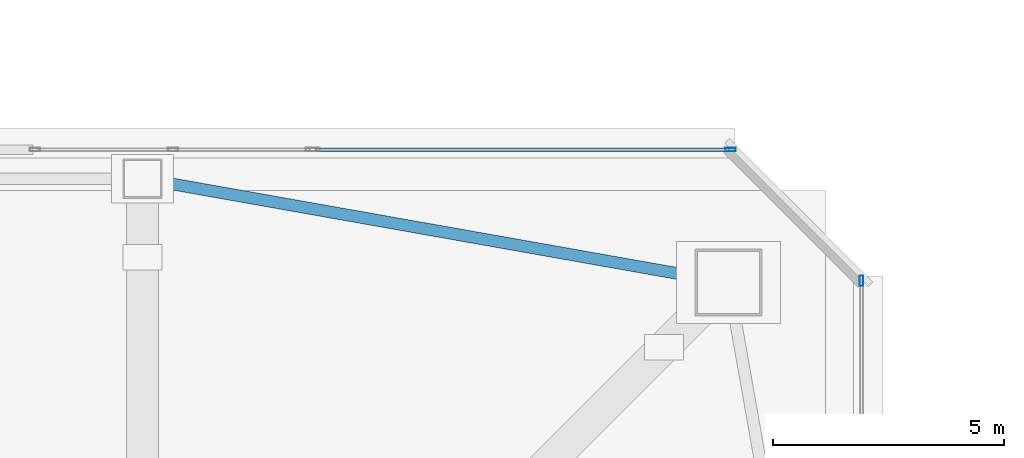
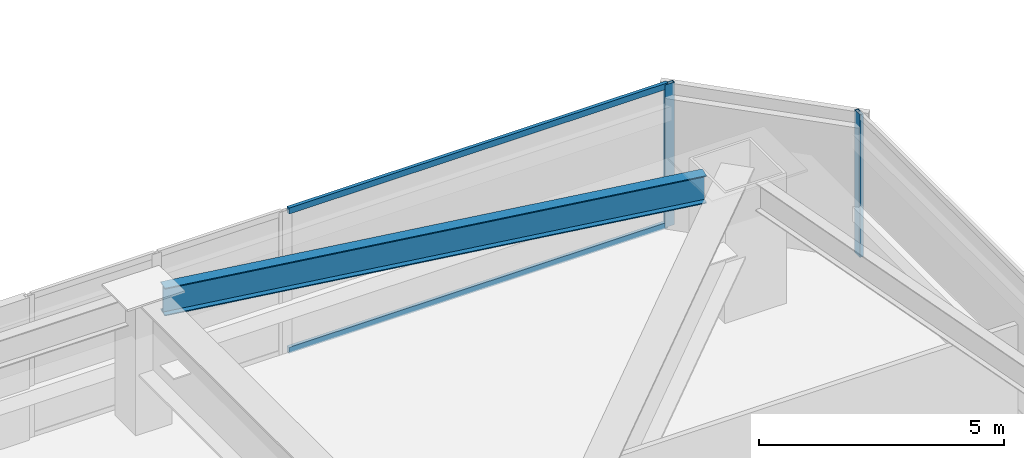
# One storey, part 16 of 49: 4 members, 1 beam, 2 elements without a shape of their own.
"""IFC4 building model written with IfcOpenShell, lengths in metres."""

from ifc_helpers import new_model, si_unit, direction, frame, origin, origin_2d, place, context, subcontext, project, spatial, hollow_rectangle, i_section, extrude, material, material_profile, profile_set, type_object, element, aggregate, save


model = new_model("IFC4")

# Units and contexts
model_context = context("Model", 3, precision=1e-05, world=origin(), true_north=direction((0.0, 1.0)))
body_context = subcontext(model_context, "Body", "Model", "MODEL_VIEW")
ifc_project = project(units=[si_unit("LENGTHUNIT", "METRE"), si_unit("AREAUNIT", "SQUARE_METRE"), si_unit("VOLUMEUNIT", "CUBIC_METRE"), si_unit("PLANEANGLEUNIT", "RADIAN"), si_unit("MASSUNIT", "GRAM", prefix="KILO")], contexts=[model_context])

# Site, building, storey
site_placement = place(None, origin())
site = spatial("IfcSite", under=ifc_project, at=site_placement, CompositionType="ELEMENT")
building_placement = place(site_placement, origin())
building = spatial("IfcBuilding", under=site, at=building_placement, Name="Tashvorn Skyway Center", CompositionType="ELEMENT")
storey_placement = place(building_placement, frame((0.0, 0.0, 106.25)))
storey = spatial("IfcBuildingStorey", under=building, at=storey_placement, Name="L28", CompositionType="ELEMENT", Elevation=106.25)

# Beam
ifc_material_1 = material(Name="Steel ASTM A992 Grade 50", Category="steel")
ifc_material_profile_1 = material_profile(ifc_material_1, i_section(OverallWidth=0.256103515625, OverallDepth=0.693115234375, WebThickness=0.014404296875, FlangeThickness=0.023681640625, at=origin_2d()), Name="W27X114")
ifc_profile_set_1 = profile_set([ifc_material_profile_1], Name="Steel ASTM A992 Grade 50")
beam_type = type_object("IfcBeamType", Name="BM-SPANDREL-W27X114", PredefinedType="SPANDREL", material=ifc_profile_set_1)
beam_placement = place(storey_placement, frame((59.39111328125, 50.2255859375, 2.903564453125), z_axis=(-0.98466816531, 0.174437966698, 0.0), x_axis=(-0.174437966698, -0.98466816531, 0.0)))
element("IfcBeam", 1, at=beam_placement, inside=storey, type_object=beam_type, Name="Tower 1 L28 Spandrel Beam 07", PredefinedType="SPANDREL", context=body_context, shape_type="SweptSolid", body=[
    extrude(i_section(OverallWidth=0.256103515625, OverallDepth=0.693115234375, WebThickness=0.014404296875, FlangeThickness=0.023681640625, at=origin_2d()), origin(), (0.0, 0.0, 1.0), 11.7578125),
])

# Curtain wall, member
ifc_material_2 = material(Name="Thermally broken bronze-anodized aluminium 6063-T6", Category="aluminium")
curtain_wall_type = type_object("IfcCurtainWallType", Name="CW-CW-Z2", PredefinedType="NOTDEFINED", material=ifc_material_2)
curtain_wall_1_placement = place(storey_placement, origin())
curtain_wall_1 = element("IfcCurtainWall", 2, at=curtain_wall_1_placement, inside=storey, type_object=curtain_wall_type, Name="Tower 1 L28 North Unitised Curtain Wall Glazing Group 4", PredefinedType="NOTDEFINED")
ifc_material_profile_2 = material_profile(ifc_material_2, hollow_rectangle(XDim=0.080078125, YDim=0.219970703125, WallThickness=0.0048828125, at=origin_2d()), Name="ALU-MULL-80x220")
ifc_profile_set_2 = profile_set([ifc_material_profile_2], Name="Thermally broken bronze-anodized aluminium 6063-T6")
member_type_1 = type_object("IfcMemberType", Name="CWM-CW-Z2", PredefinedType="MULLION", material=ifc_profile_set_2)
member_1_placement = place(storey_placement, frame((60.139892578125, 52.97998046875, 0.0), z_axis=(0.0, 0.0, 1.0), x_axis=(0.0, 1.0, 0.0)))
member_1 = element("IfcMember", 3, at=member_1_placement, type_object=member_type_1, Name="CW-Z2 mullion 2", PredefinedType="MULLION", context=body_context, shape_type="SweptSolid", body=[
    extrude(hollow_rectangle(XDim=0.080078125, YDim=0.219970703125, WallThickness=0.0048828125, at=origin_2d()), origin(), (0.0, 0.0, 1.0), 3.550048828125),
])

curtain_wall_2_placement = place(storey_placement, origin())
curtain_wall_2 = element("IfcCurtainWall", 4, at=curtain_wall_2_placement, inside=storey, type_object=curtain_wall_type, Name="Tower 1 L28 East Curtain Wall L", PredefinedType="NOTDEFINED")
member_2_placement = place(storey_placement, frame((62.97998046875, 50.139892578125, 0.0), z_axis=(0.0, 0.0, 1.0), x_axis=(1.0, 0.0, 0.0)))
member_2 = element("IfcMember", 5, at=member_2_placement, type_object=member_type_1, Name="CW-Z2 mullion 1", PredefinedType="MULLION", context=body_context, shape_type="SweptSolid", body=[
    extrude(hollow_rectangle(XDim=0.080078125, YDim=0.219970703125, WallThickness=0.0048828125, at=origin_2d()), origin(), (0.0, 0.0, 1.0), 3.550048828125),
])
aggregate(curtain_wall_2, [member_2])

# Member
ifc_material_profile_3 = material_profile(ifc_material_2, hollow_rectangle(XDim=0.080078125, YDim=0.14990234375, WallThickness=0.00439453125, at=origin_2d()), Name="ALU-TRAN-80x150")
ifc_profile_set_3 = profile_set([ifc_material_profile_3], Name="Thermally broken bronze-anodized aluminium 6063-T6")
member_type_2 = type_object("IfcMemberType", Name="CWT-CW-Z2", PredefinedType="USERDEFINED", material=ifc_profile_set_3)
member_3_placement = place(storey_placement, frame((51.169921875, 52.97998046875, 0.0400390625), z_axis=(1.0, 0.0, 0.0), x_axis=(0.0, 1.0, 0.0)))
member_3 = element("IfcMember", 6, at=member_3_placement, type_object=member_type_2, Name="CW-Z2 transom 1.1", ObjectType="TRANSOM", PredefinedType="USERDEFINED", context=body_context, shape_type="SweptSolid", body=[
    extrude(hollow_rectangle(XDim=0.080078125, YDim=0.14990234375, WallThickness=0.00439453125, at=origin_2d()), origin(), (0.0, 0.0, 1.0), 8.93017578125),
])

member_4_placement = place(storey_placement, frame((51.169921875, 52.97998046875, 3.510009765625), z_axis=(1.0, 0.0, 0.0), x_axis=(0.0, 1.0, 0.0)))
member_4 = element("IfcMember", 7, at=member_4_placement, type_object=member_type_2, Name="CW-Z2 transom 1.2", ObjectType="TRANSOM", PredefinedType="USERDEFINED", context=body_context, shape_type="SweptSolid", body=[
    extrude(hollow_rectangle(XDim=0.080078125, YDim=0.14990234375, WallThickness=0.00439453125, at=origin_2d()), origin(), (0.0, 0.0, 1.0), 8.93017578125),
])

aggregate(curtain_wall_1, [member_1, member_3, member_4])

save(model, "model.ifc")
